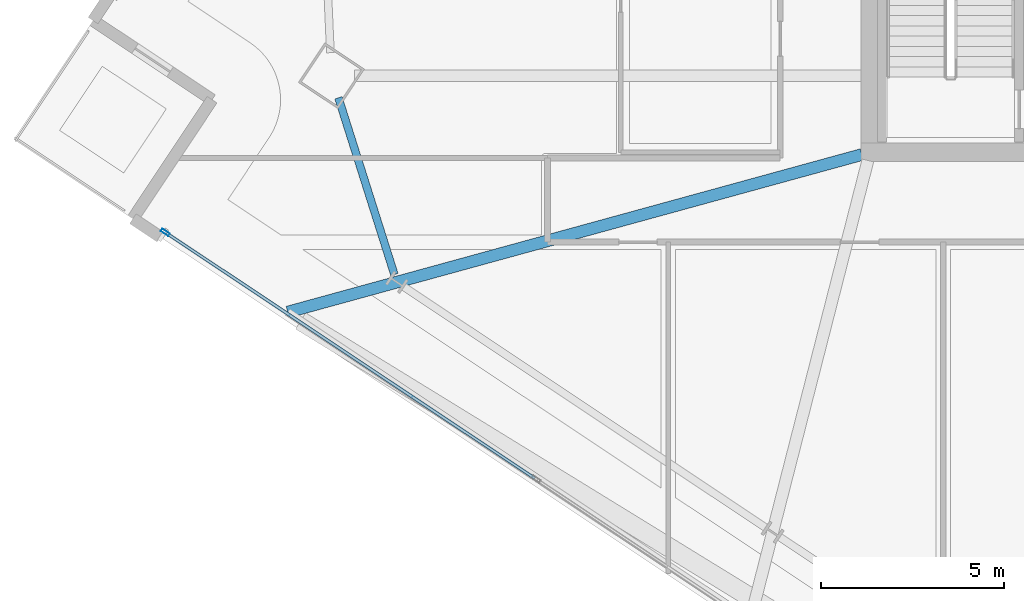
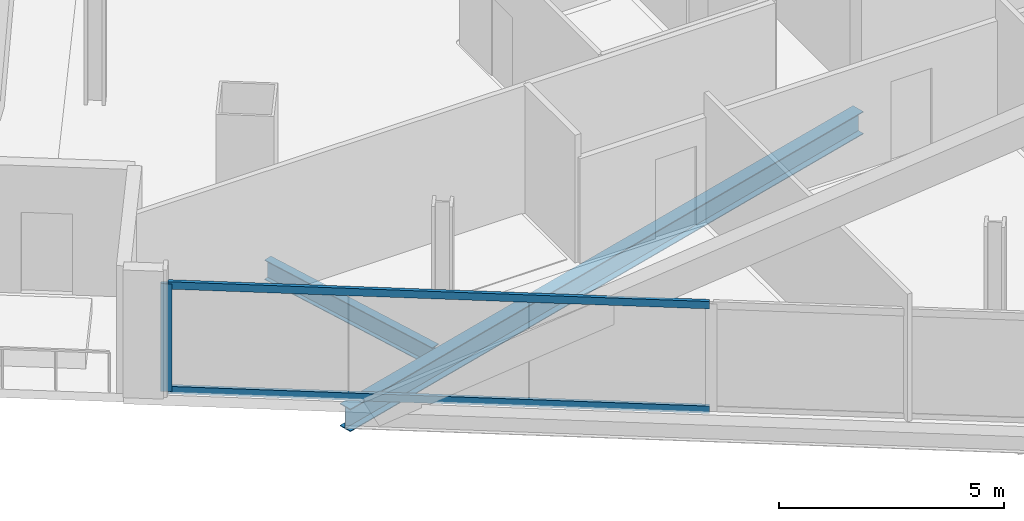
# One storey, part 4 of 32: 3 members, 2 beams, 1 element without a shape of its own.
"""IFC4 building model written with IfcOpenShell, lengths in metres."""

from ifc_helpers import new_model, si_unit, direction, frame, origin, origin_2d, place, context, subcontext, project, spatial, hollow_rectangle, i_section, extrude, material, material_profile, profile_set, type_object, element, aggregate, save


model = new_model("IFC4")

# Units and contexts
model_context = context("Model", 3, precision=1e-05, world=origin(), true_north=direction((0.0, 1.0)))
body_context = subcontext(model_context, "Body", "Model", "MODEL_VIEW")
ifc_project = project(units=[si_unit("LENGTHUNIT", "METRE"), si_unit("AREAUNIT", "SQUARE_METRE"), si_unit("VOLUMEUNIT", "CUBIC_METRE"), si_unit("PLANEANGLEUNIT", "RADIAN"), si_unit("MASSUNIT", "GRAM", prefix="KILO")], contexts=[model_context])

# Site, building, storey
site_placement = place(None, origin())
site = spatial("IfcSite", under=ifc_project, at=site_placement, CompositionType="ELEMENT")
building_placement = place(site_placement, origin())
building = spatial("IfcBuilding", under=site, at=building_placement, Name="Haldenkirk Collegiate Tower", CompositionType="ELEMENT")
storey_placement = place(building_placement, frame((0.0, 0.0, 217.199951171875)))
storey = spatial("IfcBuildingStorey", under=building, at=storey_placement, Name="L54", CompositionType="ELEMENT", Elevation=217.199951171875)

# Beams
ifc_material_1 = material(Name="Steel ASTM A992 Grade 50", Category="steel")
ifc_material_profile_1 = material_profile(ifc_material_1, i_section(OverallWidth=0.324951171875, OverallDepth=0.615966796875, WebThickness=0.013916015625, FlangeThickness=0.021484375, at=origin_2d()), Name="W24X117")
ifc_profile_set_1 = profile_set([ifc_material_profile_1], Name="Steel ASTM A992 Grade 50")
beam_type_1 = type_object("IfcBeamType", Name="BM-GIRDER-W24X117", PredefinedType="BEAM", material=ifc_profile_set_1)
beam_1_placement = place(storey_placement, frame((11.111083984375, 13.640380859375, -0.587890625), z_axis=(0.964357281454, 0.264603540614, 0.0), x_axis=(-0.264603540614, 0.964357281454, 0.0)))
element("IfcBeam", 1, at=beam_1_placement, inside=storey, type_object=beam_type_1, Name="L54 primary floor girder 14", PredefinedType="BEAM", context=body_context, shape_type="SweptSolid", body=[
    extrude(i_section(OverallWidth=0.324951171875, OverallDepth=0.615966796875, WebThickness=0.013916015625, FlangeThickness=0.021484375, at=origin_2d()), origin(), (0.0, 0.0, 1.0), 16.246337890625),
])
ifc_material_profile_2 = material_profile(ifc_material_1, i_section(OverallWidth=0.2099609375, OverallDepth=0.537109375, WebThickness=0.010986328125, FlangeThickness=0.017333984375, at=origin_2d()), Name="W21X68")
ifc_profile_set_2 = profile_set([ifc_material_profile_2], Name="Steel ASTM A992 Grade 50")
beam_type_2 = type_object("IfcBeamType", Name="BM-SPANDREL-W21X68", PredefinedType="SPANDREL", material=ifc_profile_set_2)
beam_2_placement = place(storey_placement, frame((12.494873046875, 19.489013671875, -0.54833984375), z_axis=(0.301937009704, -0.95332787758, 0.0), x_axis=(0.95332787758, 0.301937009704, 0.0)))
element("IfcBeam", 2, at=beam_2_placement, inside=storey, type_object=beam_type_2, Name="L54 perimeter spandrel beam 13", PredefinedType="SPANDREL", context=body_context, shape_type="SweptSolid", body=[
    extrude(i_section(OverallWidth=0.2099609375, OverallDepth=0.537109375, WebThickness=0.010986328125, FlangeThickness=0.017333984375, at=origin_2d()), origin(), (0.0, 0.0, 1.0), 5.060791015625),
])

# Curtain wall, members
ifc_material_2 = material(Name="Anodised architectural bronze aluminium", Category="aluminium")
curtain_wall_type = type_object("IfcCurtainWallType", Name="CW-SYS1B-CONVEX-HI", PredefinedType="USERDEFINED", material=ifc_material_2)
curtain_wall_placement = place(storey_placement, origin())
curtain_wall = element("IfcCurtainWall", 3, at=curtain_wall_placement, inside=storey, type_object=curtain_wall_type, Name="L54 Upper tower high-wind convex bronze unitised curtain wall", ObjectType="UNITISED CURTAIN WALL", PredefinedType="USERDEFINED")
ifc_material_profile_3 = material_profile(ifc_material_2, hollow_rectangle(XDim=0.0849609375, YDim=0.25, WallThickness=0.0048828125, at=origin_2d()), Name="CW-MUL-1B")
ifc_profile_set_3 = profile_set([ifc_material_profile_3], Name="Anodised architectural bronze aluminium")
member_type_1 = type_object("IfcMemberType", Name="CW-MUL-1B", PredefinedType="MULLION", material=ifc_profile_set_3)
member_1_placement = place(storey_placement, frame((7.769287109375, 15.816650390625, 0.0), z_axis=(0.0, 0.0, 1.0), x_axis=(-0.554119986, -0.832436809083, 0.0)))
member_1 = element("IfcMember", 4, at=member_1_placement, type_object=member_type_1, Name="CW-1B mullion 4", PredefinedType="MULLION", context=body_context, shape_type="SweptSolid", body=[
    extrude(hollow_rectangle(XDim=0.0849609375, YDim=0.25, WallThickness=0.0048828125, at=origin_2d()), origin(), (0.0, 0.0, 1.0), 2.927978515625),
])
ifc_material_profile_4 = material_profile(ifc_material_2, hollow_rectangle(XDim=0.0849609375, YDim=0.199951171875, WallThickness=0.0048828125, at=origin_2d()), Name="CW-TRN-1B")
ifc_profile_set_4 = profile_set([ifc_material_profile_4], Name="Anodised architectural bronze aluminium")
member_type_2 = type_object("IfcMemberType", Name="CW-TRN-1B", PredefinedType="USERDEFINED", material=ifc_profile_set_4)
member_2_placement = place(storey_placement, frame((17.854248046875, 9.103515625, 0.04248046875), z_axis=(-0.832432774698, 0.55412604668, 0.0), x_axis=(-0.55412604668, -0.832432774698, 0.0)))
member_2 = element("IfcMember", 5, at=member_2_placement, type_object=member_type_2, Name="CW-1B transom 3.1", ObjectType="TRANSOM", PredefinedType="USERDEFINED", context=body_context, shape_type="SweptSolid", body=[
    extrude(hollow_rectangle(XDim=0.0849609375, YDim=0.199951171875, WallThickness=0.0048828125, at=origin_2d()), origin(), (0.0, 0.0, 1.0), 12.072509765625),
])
member_3_placement = place(storey_placement, frame((17.854248046875, 9.103515625, 2.885498046875), z_axis=(-0.832432774698, 0.55412604668, 0.0), x_axis=(-0.55412604668, -0.832432774698, 0.0)))
member_3 = element("IfcMember", 6, at=member_3_placement, type_object=member_type_2, Name="CW-1B transom 3.2", ObjectType="TRANSOM", PredefinedType="USERDEFINED", context=body_context, shape_type="SweptSolid", body=[
    extrude(hollow_rectangle(XDim=0.0849609375, YDim=0.199951171875, WallThickness=0.0048828125, at=origin_2d()), origin(), (0.0, 0.0, 1.0), 12.072509765625),
])
aggregate(curtain_wall, [member_1, member_2, member_3])

save(model, "model.ifc")
